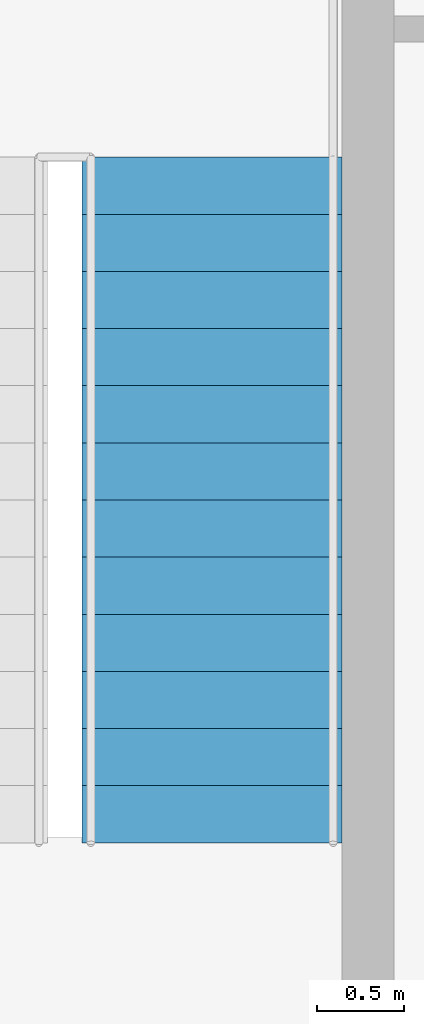
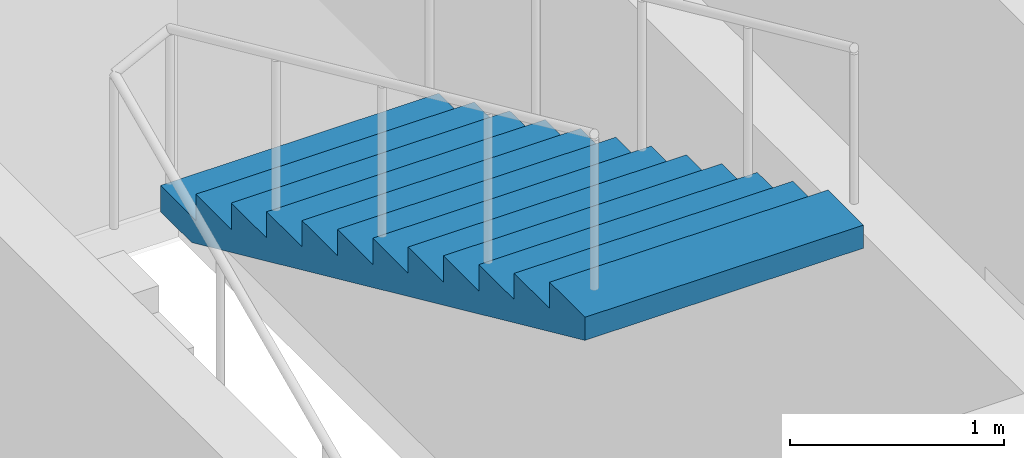
# One storey, part 9 of 10: 1 stair flight, 1 element without a shape of its own.
"""IFC4 building model written with IfcOpenShell, lengths in metres."""

import ifcopenshell
import ifcopenshell.guid

model = None  # the IFC model being written
_history = None  # IfcOwnerHistory: only IFC2X3 demands one
_inside = {}  # id of a spatial element -> (the spatial element, [elements in it])
_under = {}  # id of a project, library or spatial element -> (it, [spatial elements below it])
_declared = {}  # id of a project -> (the project, [libraries it declares])
_typed = {}  # id of a type object -> (the type object, [elements of that type])
_made_of = {}  # id of a material, layer set ... -> (it, [elements and type objects made of it])


def new_model(schema):
    """Start an empty IFC model of exactly this schema.

    Asked for "IFC4X3", IfcOpenShell would pick the latest addendum, in which some entities
    have other attributes; the version numbers below select the first issue.
    IFC2X3 requires an IfcOwnerHistory on every rooted entity: one is made here for all.
    """
    global model, _history
    if schema == "IFC4X3":
        model = ifcopenshell.file(schema_version=(4, 3, 0, 0))
    else:
        model = ifcopenshell.file(schema=schema)
    _inside.clear()
    _under.clear()
    _declared.clear()
    _typed.clear()
    _made_of.clear()
    _history = None
    if model.schema == "IFC2X3":
        org = make("IfcOrganization", Name="unknown")
        user = make(
            "IfcPersonAndOrganization",
            ThePerson=make("IfcPerson", FamilyName="unknown"),
            TheOrganization=org,
        )
        app = make(
            "IfcApplication",
            ApplicationDeveloper=org,
            Version="unknown",
            ApplicationFullName="unknown",
            ApplicationIdentifier="unknown",
        )
        _history = make(
            "IfcOwnerHistory",
            OwningUser=user,
            OwningApplication=app,
            ChangeAction="ADDED",
            CreationDate=0,
        )
    return model


def make(cls, **values):
    """One entity of the class cls with the attributes given. An attribute that is None is left unset."""
    return model.create_entity(
        cls, **{name: value for name, value in values.items() if value is not None}
    )


def rooted(cls, **values):
    """An entity with a GlobalId (a new one), such as an element, a storey or a relation."""
    return make(cls, GlobalId=ifcopenshell.guid.new(), OwnerHistory=_history, **values)


def si_unit(unit_type, name, prefix=None):
    """IfcSIUnit, for example si_unit("LENGTHUNIT", "METRE", prefix="MILLI")."""
    return make("IfcSIUnit", UnitType=unit_type, Prefix=prefix, Name=name)


def assignment(units):
    """IfcUnitAssignment: the units of a project."""
    return None if units is None else make("IfcUnitAssignment", Units=units)


def point(xyz):
    """IfcCartesianPoint."""
    return None if xyz is None else make("IfcCartesianPoint", Coordinates=xyz)


def direction(xyz):
    """IfcDirection."""
    return None if xyz is None else make("IfcDirection", DirectionRatios=xyz)


def frame(location, z_axis=None, x_axis=None):
    """IfcAxis2Placement3D, a coordinate frame: its origin and axes. An axis left out is left unset."""
    return make(
        "IfcAxis2Placement3D",
        Location=point(location),
        Axis=direction(z_axis),
        RefDirection=direction(x_axis),
    )


def origin():
    """The frame at (0, 0, 0) with its axes left unset."""
    return frame((0.0, 0.0, 0.0))


def place(relative_to, where):
    """IfcLocalPlacement: puts the frame where relative to a parent placement (None: the world)."""
    return make(
        "IfcLocalPlacement", PlacementRelTo=relative_to, RelativePlacement=where
    )


def context(
    kind, dimensions, precision=None, world=None, true_north=None, identifier=None
):
    """IfcGeometricRepresentationContext, for example the 3D "Model" context."""
    return make(
        "IfcGeometricRepresentationContext",
        ContextIdentifier=identifier,
        ContextType=kind,
        CoordinateSpaceDimension=dimensions,
        Precision=precision,
        WorldCoordinateSystem=world,
        TrueNorth=true_north,
    )


def subcontext(parent, identifier, kind, view, scale=None):
    """IfcGeometricRepresentationSubContext, for example "Body" below "Model"."""
    return make(
        "IfcGeometricRepresentationSubContext",
        ContextIdentifier=identifier,
        ContextType=kind,
        ParentContext=parent,
        TargetScale=scale,
        TargetView=view,
    )


def project(units=None, contexts=None):
    """IfcProject with its units and contexts."""
    return rooted(
        "IfcProject",
        Name="project",
        RepresentationContexts=contexts,
        UnitsInContext=assignment(units),
    )


def spatial(cls, under=None, at=None, **own):
    """A site, building, storey or space (cls), placed at a placement, below another one or the project."""
    s = rooted(cls, ObjectPlacement=at, **own)
    if under is not None:
        _under.setdefault(under.id(), (under, []))[1].append(s)
    return s


def point_list(points):
    """IfcCartesianPointList2D or 3D."""
    cls = (
        "IfcCartesianPointList2D" if len(points[0]) == 2 else "IfcCartesianPointList3D"
    )
    return make(cls, CoordList=points)


def polygons(points, faces, closed=None, point_numbers=None):
    """IfcPolygonalFaceSet: a face is its outer loop, then its inner loops; points numbered from 1."""
    made = []
    for loops in faces:
        if len(loops) == 1:
            made.append(make("IfcIndexedPolygonalFace", CoordIndex=loops[0]))
        else:
            made.append(
                make(
                    "IfcIndexedPolygonalFaceWithVoids",
                    CoordIndex=loops[0],
                    InnerCoordIndices=loops[1:],
                )
            )
    return make(
        "IfcPolygonalFaceSet",
        Coordinates=point_list(points),
        Closed=closed,
        Faces=made,
        PnIndex=point_numbers,
    )


def shape(context_of_items, identifier, shape_type, items):
    """IfcShapeRepresentation: the items that make up one representation, for example the "Body"."""
    return make(
        "IfcShapeRepresentation",
        ContextOfItems=context_of_items,
        RepresentationIdentifier=identifier,
        RepresentationType=shape_type,
        Items=items,
    )


def material(Name=None, Category=None):
    """IfcMaterial."""
    return make("IfcMaterial", Name=Name, Category=Category)


def made_of(thing, what):
    """Note that an element or type object is made of a material, layer set ...; save() writes the relation."""
    if what is not None:
        _made_of.setdefault(what.id(), (what, []))[1].append(thing)
    return thing


def type_object(cls, material=None, **own):
    """A type object (cls), such as IfcWallType, which elements share."""
    return made_of(rooted(cls, **own), material)


def element(
    cls,
    number,
    at=None,
    inside=None,
    cuts=None,
    type_object=None,
    material=None,
    context=None,
    identifier="Body",
    shape_type=None,
    held_by="IfcProductDefinitionShape",
    body=None,
    shapes=None,
    **own,
):
    """One element of the class cls, such as IfcWall. Its Tag is "e" and its number.

    at: its placement. inside: the storey or other place that contains it. cuts: it is an
    opening in that element (IfcRelVoidsElement). A single representation is given by context,
    identifier, shape_type and body (its items); several are given by shapes. held_by: the class
    of the entity that holds the representations. save() writes the other relations.
    """
    e = rooted(cls, Tag="e%d" % number, ObjectPlacement=at, **own)
    if body is not None:
        shapes = [shape(context, identifier, shape_type, body)]
    if shapes is not None:
        e.Representation = make(held_by, Representations=shapes)
    if inside is not None:
        _inside.setdefault(inside.id(), (inside, []))[1].append(e)
    if cuts is not None:
        rooted(
            "IfcRelVoidsElement", RelatingBuildingElement=cuts, RelatedOpeningElement=e
        )
    if type_object is not None:
        _typed.setdefault(type_object.id(), (type_object, []))[1].append(e)
    return made_of(e, material)


def aggregate(whole, parts):
    """IfcRelAggregates: a whole, such as a stair, and the parts it consists of."""
    return rooted("IfcRelAggregates", RelatingObject=whole, RelatedObjects=parts)


def save(model, path):
    """Write the relations noted so far, then the file.

    IfcRelAggregates (storeys below a building ...), IfcRelContainedInSpatialStructure (elements
    in a storey), IfcRelDefinesByType, IfcRelAssociatesMaterial and IfcRelDeclares: one each for
    every whole, place, type object, material and project.
    """
    for whole, parts in _under.values():
        aggregate(whole, parts)
    for where, things in _inside.values():
        rooted(
            "IfcRelContainedInSpatialStructure",
            RelatedElements=things,
            RelatingStructure=where,
        )
    for kind, things in _typed.values():
        rooted("IfcRelDefinesByType", RelatedObjects=things, RelatingType=kind)
    for what, things in _made_of.values():
        rooted("IfcRelAssociatesMaterial", RelatedObjects=things, RelatingMaterial=what)
    for by, libraries in _declared.values():
        rooted("IfcRelDeclares", RelatingContext=by, RelatedDefinitions=libraries)
    model.write(path)


model = new_model("IFC4")

# Units and contexts
model_context = context("Model", 3, precision=1e-05, world=origin(), true_north=direction((0.0, 1.0)))
body_context = subcontext(model_context, "Body", "Model", "MODEL_VIEW")
ifc_project = project(units=[si_unit("LENGTHUNIT", "METRE"), si_unit("AREAUNIT", "SQUARE_METRE"), si_unit("VOLUMEUNIT", "CUBIC_METRE"), si_unit("PLANEANGLEUNIT", "RADIAN"), si_unit("MASSUNIT", "GRAM", prefix="KILO")], contexts=[model_context])

# Site, building, storey
site_placement = place(None, origin())
site = spatial("IfcSite", under=ifc_project, at=site_placement, CompositionType="ELEMENT")
building_placement = place(site_placement, origin())
building = spatial("IfcBuilding", under=site, at=building_placement, Name="Njiva Tower", CompositionType="ELEMENT")
storey_placement = place(building_placement, frame((0.0, 0.0, 171.0)))
storey = spatial("IfcBuildingStorey", under=building, at=storey_placement, Name="L37", CompositionType="ELEMENT", Elevation=171.0)

# Stair, stair flight
ifc_material = material(Name="Concrete C40/50", Category="concrete")
stair_type = type_object("IfcStairType", Name="ST4 Exit stair 1500", PredefinedType="HALF_TURN_STAIR", material=ifc_material)
stair_placement = place(storey_placement, origin())
stair = element("IfcStair", 1, at=stair_placement, inside=storey, type_object=stair_type, Name="Stair B", PredefinedType="HALF_TURN_STAIR")
stair_flight_type = type_object("IfcStairFlightType", Name="FL4 Stair flight 1500", PredefinedType="STRAIGHT", material=ifc_material)
stair_flight_placement = place(storey_placement, frame((13.45, 15.06, 1.95), z_axis=(0.0, 0.0, 1.0), x_axis=(0.0, -1.0, 0.0)))
stair_flight = element("IfcStairFlight", 2, at=stair_flight_placement, type_object=stair_flight_type, Name="ST-B flight 2", NumberOfRisers=13, NumberOfTreads=12, PredefinedType="STRAIGHT", RiserHeight=0.15, TreadLength=0.33, context=body_context, shape_type="Tessellation", body=[
    polygons([(0.0, 0.75, 0.0), (0.0, 0.375, 0.0), (0.0, 0.0, 0.0), (0.0, -0.375, 0.0), (0.0, -0.75, 0.0), (0.0, 0.75, 0.15), (0.0, 0.375, 0.15), (0.0, 0.0, 0.15), (0.0, -0.375, 0.15), (0.0, -0.75, 0.15), (0.33, 0.75, 0.15), (0.33, 0.375, 0.15), (0.33, 0.0, 0.15), (0.33, -0.375, 0.15), (0.33, -0.75, 0.15), (0.33, 0.75, 0.3), (0.33, 0.375, 0.3), (0.33, 0.0, 0.3), (0.33, -0.375, 0.3), (0.33, -0.75, 0.3), (0.66, 0.75, 0.3), (0.66, 0.375, 0.3), (0.66, 0.0, 0.3), (0.66, -0.375, 0.3), (0.66, -0.75, 0.3), (0.66, 0.75, 0.45), (0.66, 0.375, 0.45), (0.66, 0.0, 0.45), (0.66, -0.375, 0.45), (0.66, -0.75, 0.45), (0.99, 0.75, 0.45), (0.99, 0.375, 0.45), (0.99, 0.0, 0.45), (0.99, -0.375, 0.45), (0.99, -0.75, 0.45), (0.99, 0.75, 0.6), (0.99, 0.375, 0.6), (0.99, 0.0, 0.6), (0.99, -0.375, 0.6), (0.99, -0.75, 0.6), (1.32, 0.75, 0.6), (1.32, 0.375, 0.6), (1.32, 0.0, 0.6), (1.32, -0.375, 0.6), (1.32, -0.75, 0.6), (1.32, 0.75, 0.75), (1.32, 0.375, 0.75), (1.32, 0.0, 0.75), (1.32, -0.375, 0.75), (1.32, -0.75, 0.75), (1.65, 0.75, 0.75), (1.65, 0.375, 0.75), (1.65, 0.0, 0.75), (1.65, -0.375, 0.75), (1.65, -0.75, 0.75), (1.65, 0.75, 0.9), (1.65, 0.375, 0.9), (1.65, 0.0, 0.9), (1.65, -0.375, 0.9), (1.65, -0.75, 0.9), (1.98, 0.75, 0.9), (1.98, 0.375, 0.9), (1.98, 0.0, 0.9), (1.98, -0.375, 0.9), (1.98, -0.75, 0.9), (1.98, 0.75, 1.05), (1.98, 0.375, 1.05), (1.98, 0.0, 1.05), (1.98, -0.375, 1.05), (1.98, -0.75, 1.05), (2.31, 0.75, 1.05), (2.31, 0.375, 1.05), (2.31, 0.0, 1.05), (2.31, -0.375, 1.05), (2.31, -0.75, 1.05), (2.31, 0.75, 1.2), (2.31, 0.375, 1.2), (2.31, 0.0, 1.2), (2.31, -0.375, 1.2), (2.31, -0.75, 1.2), (2.64, 0.75, 1.2), (2.64, 0.375, 1.2), (2.64, 0.0, 1.2), (2.64, -0.375, 1.2), (2.64, -0.75, 1.2), (2.64, 0.75, 1.35), (2.64, 0.375, 1.35), (2.64, 0.0, 1.35), (2.64, -0.375, 1.35), (2.64, -0.75, 1.35), (2.97, 0.75, 1.35), (2.97, 0.375, 1.35), (2.97, 0.0, 1.35), (2.97, -0.375, 1.35), (2.97, -0.75, 1.35), (2.97, 0.75, 1.5), (2.97, 0.375, 1.5), (2.97, 0.0, 1.5), (2.97, -0.375, 1.5), (2.97, -0.75, 1.5), (3.3, 0.75, 1.5), (3.3, 0.375, 1.5), (3.3, 0.0, 1.5), (3.3, -0.375, 1.5), (3.3, -0.75, 1.5), (3.3, 0.75, 1.65), (3.3, 0.375, 1.65), (3.3, 0.0, 1.65), (3.3, -0.375, 1.65), (3.3, -0.75, 1.65), (3.63, 0.75, 1.65), (3.63, 0.375, 1.65), (3.63, 0.0, 1.65), (3.63, -0.375, 1.65), (3.63, -0.75, 1.65), (3.63, 0.75, 1.8), (3.63, 0.375, 1.8), (3.63, 0.0, 1.8), (3.63, -0.375, 1.8), (3.63, -0.75, 1.8), (3.96, 0.75, 1.8), (3.96, 0.375, 1.8), (3.96, 0.0, 1.8), (3.96, -0.375, 1.8), (3.96, -0.75, 1.8), (3.96, 0.75, 1.6682), (3.96, 0.375, 1.6682), (3.96, 0.0, 1.6682), (3.96, -0.375, 1.6682), (3.96, -0.75, 1.6682), (0.29, 0.75, 0.0), (0.29, 0.375, 0.0), (0.29, 0.0, 0.0), (0.29, -0.375, 0.0), (0.29, -0.75, 0.0)], [[[1, 6, 11, 16, 21, 26, 31, 36, 41, 46, 51, 56, 61, 66, 71, 76, 81, 86, 91, 96, 101, 106, 111, 116, 121, 126, 131]], [[135, 130, 125, 120, 115, 110, 105, 100, 95, 90, 85, 80, 75, 70, 65, 60, 55, 50, 45, 40, 35, 30, 25, 20, 15, 10, 5]], [[6, 1, 2, 7]], [[7, 2, 3, 8]], [[8, 3, 4, 9]], [[9, 4, 5, 10]], [[11, 6, 7, 12]], [[12, 7, 8, 13]], [[13, 8, 9, 14]], [[14, 9, 10, 15]], [[16, 11, 12, 17]], [[17, 12, 13, 18]], [[18, 13, 14, 19]], [[19, 14, 15, 20]], [[21, 16, 17, 22]], [[22, 17, 18, 23]], [[23, 18, 19, 24]], [[24, 19, 20, 25]], [[26, 21, 22, 27]], [[27, 22, 23, 28]], [[28, 23, 24, 29]], [[29, 24, 25, 30]], [[31, 26, 27, 32]], [[32, 27, 28, 33]], [[33, 28, 29, 34]], [[34, 29, 30, 35]], [[36, 31, 32, 37]], [[37, 32, 33, 38]], [[38, 33, 34, 39]], [[39, 34, 35, 40]], [[41, 36, 37, 42]], [[42, 37, 38, 43]], [[43, 38, 39, 44]], [[44, 39, 40, 45]], [[46, 41, 42, 47]], [[47, 42, 43, 48]], [[48, 43, 44, 49]], [[49, 44, 45, 50]], [[51, 46, 47, 52]], [[52, 47, 48, 53]], [[53, 48, 49, 54]], [[54, 49, 50, 55]], [[56, 51, 52, 57]], [[57, 52, 53, 58]], [[58, 53, 54, 59]], [[59, 54, 55, 60]], [[61, 56, 57, 62]], [[62, 57, 58, 63]], [[63, 58, 59, 64]], [[64, 59, 60, 65]], [[66, 61, 62, 67]], [[67, 62, 63, 68]], [[68, 63, 64, 69]], [[69, 64, 65, 70]], [[71, 66, 67, 72]], [[72, 67, 68, 73]], [[73, 68, 69, 74]], [[74, 69, 70, 75]], [[76, 71, 72, 77]], [[77, 72, 73, 78]], [[78, 73, 74, 79]], [[79, 74, 75, 80]], [[81, 76, 77, 82]], [[82, 77, 78, 83]], [[83, 78, 79, 84]], [[84, 79, 80, 85]], [[86, 81, 82, 87]], [[87, 82, 83, 88]], [[88, 83, 84, 89]], [[89, 84, 85, 90]], [[91, 86, 87, 92]], [[92, 87, 88, 93]], [[93, 88, 89, 94]], [[94, 89, 90, 95]], [[96, 91, 92, 97]], [[97, 92, 93, 98]], [[98, 93, 94, 99]], [[99, 94, 95, 100]], [[101, 96, 97, 102]], [[102, 97, 98, 103]], [[103, 98, 99, 104]], [[104, 99, 100, 105]], [[106, 101, 102, 107]], [[107, 102, 103, 108]], [[108, 103, 104, 109]], [[109, 104, 105, 110]], [[111, 106, 107, 112]], [[112, 107, 108, 113]], [[113, 108, 109, 114]], [[114, 109, 110, 115]], [[116, 111, 112, 117]], [[117, 112, 113, 118]], [[118, 113, 114, 119]], [[119, 114, 115, 120]], [[121, 116, 117, 122]], [[122, 117, 118, 123]], [[123, 118, 119, 124]], [[124, 119, 120, 125]], [[126, 121, 122, 127]], [[127, 122, 123, 128]], [[128, 123, 124, 129]], [[129, 124, 125, 130]], [[131, 126, 127, 132]], [[132, 127, 128, 133]], [[133, 128, 129, 134]], [[134, 129, 130, 135]], [[1, 131, 132, 2]], [[2, 132, 133, 3]], [[3, 133, 134, 4]], [[4, 134, 135, 5]]], closed=True),
])
aggregate(stair, [stair_flight])

save(model, "model.ifc")
